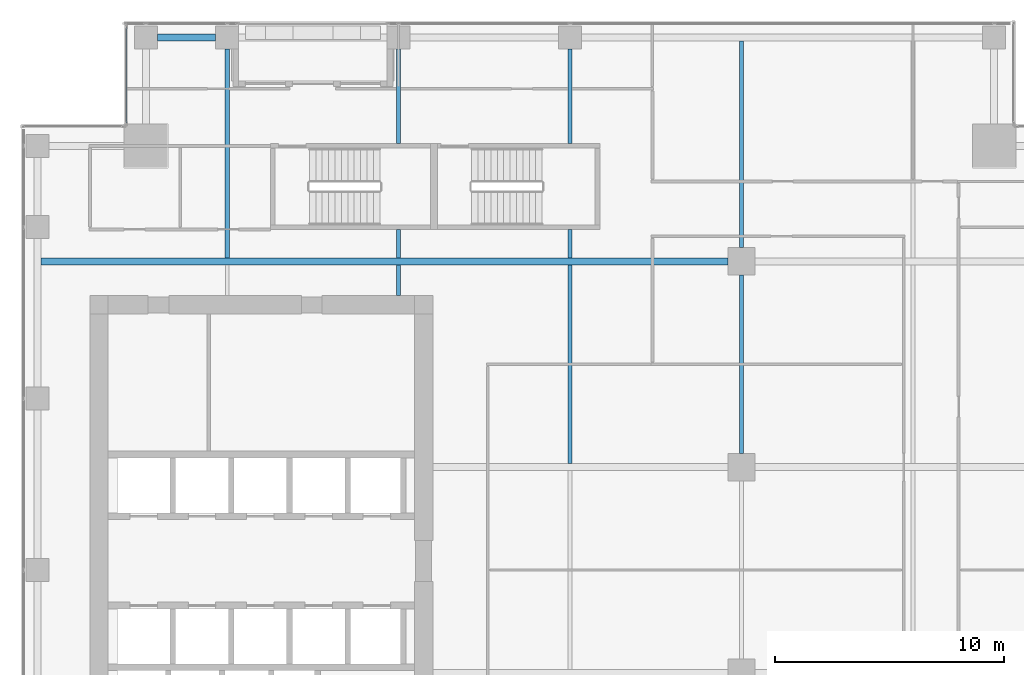
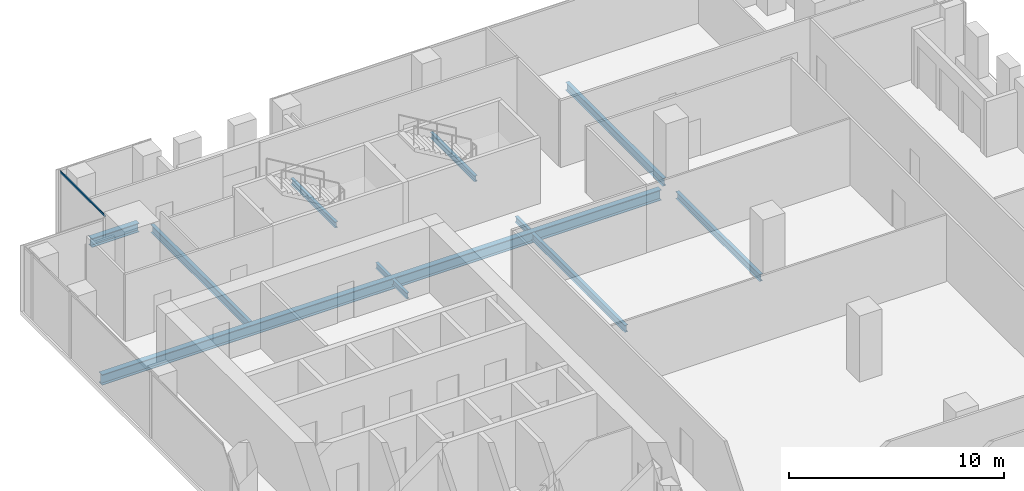
# One storey, part 18 of 38: 11 beams, 1 member, 1 element without a shape of its own.
"""IFC4 building model written with IfcOpenShell, lengths in metres."""

from ifc_helpers import new_model, si_unit, direction, frame, origin, origin_2d, place, context, subcontext, project, spatial, hollow_rectangle, i_section, extrude, source, transform, mapped, material, material_profile, profile_set, type_object, element, aggregate, save


model = new_model("IFC4")

# Units and contexts
model_context = context("Model", 3, precision=1e-05, world=origin(), true_north=direction((0.0, 1.0)))
body_context = subcontext(model_context, "Body", "Model", "MODEL_VIEW")
ifc_project = project(units=[si_unit("LENGTHUNIT", "METRE"), si_unit("AREAUNIT", "SQUARE_METRE"), si_unit("VOLUMEUNIT", "CUBIC_METRE"), si_unit("PLANEANGLEUNIT", "RADIAN"), si_unit("MASSUNIT", "GRAM", prefix="KILO")], contexts=[model_context])

# Site, building, storey
site_placement = place(None, origin())
site = spatial("IfcSite", under=ifc_project, at=site_placement, CompositionType="ELEMENT")
building_placement = place(site_placement, origin())
building = spatial("IfcBuilding", under=site, at=building_placement, Name="Khomas Fold Tower", CompositionType="ELEMENT")
storey_placement = place(building_placement, frame((0.0, 0.0, 196.699951171875)))
storey = spatial("IfcBuildingStorey", under=building, at=storey_placement, Name="L43", CompositionType="ELEMENT", Elevation=196.699951171875)

# Beams
ifc_material_1 = material(Name="Steel S355", Category="steel")
ifc_material_profile_1 = material_profile(ifc_material_1, i_section(OverallWidth=0.179931640625, OverallDepth=0.39990234375, WebThickness=0.008544921875, FlangeThickness=0.013427734375, at=origin_2d()), Name="IPE 400")
ifc_profile_set_1 = profile_set([ifc_material_profile_1], Name="Steel S355")
beam_type_1 = type_object("IfcBeamType", Name="IPE 400 beam JB3", PredefinedType="BEAM", material=ifc_profile_set_1)
shared_shape_1 = source(origin(), body_context, "Body", "SweptSolid", [
    extrude(i_section(OverallWidth=0.179931640625, OverallDepth=0.39990234375, WebThickness=0.008544921875, FlangeThickness=0.013427734375, at=origin_2d()), origin(), (0.0, 0.0, 1.0), 8.7001953125),
])
beam_1_placement = place(storey_placement, frame((27.0, 31.64990234375, -0.449951171875), z_axis=(0.0, 1.0, 0.0), x_axis=(-1.0, 0.0, 0.0)))
element("IfcBeam", 1, at=beam_1_placement, inside=storey, type_object=beam_type_1, Name="JB3", PredefinedType="BEAM", context=body_context, shape_type="MappedRepresentation", body=[
    mapped(shared_shape_1, transform((0.0, 0.0, 0.0))),
])
ifc_material_2 = material(Name="Steel S355", Category="steel")
ifc_material_profile_2 = material_profile(ifc_material_2, i_section(OverallWidth=0.159912109375, OverallDepth=0.330078125, WebThickness=0.007568359375, FlangeThickness=0.011474609375, at=origin_2d()), Name="IPE 330")
ifc_profile_set_2 = profile_set([ifc_material_profile_2], Name="Steel S355")
beam_type_2 = type_object("IfcBeamType", Name="IPE 330 beam JB1", PredefinedType="BEAM", material=ifc_profile_set_2)
shared_shape_2 = source(origin(), body_context, "Body", "SweptSolid", [
    extrude(i_section(OverallWidth=0.159912109375, OverallDepth=0.330078125, WebThickness=0.007568359375, FlangeThickness=0.011474609375, at=origin_2d()), origin(), (0.0, 0.0, 1.0), 1.25),
])
for number, where, z_axis, x_axis, name in (
    (2, (19.5, 40.64990234375, -0.4150390625), (0.0, 1.0, 0.0), (-1.0, 0.0, 0.0), "JB1"),
    (3, (27.0, 40.64990234375, -0.4150390625), (0.0, 1.0, 0.0), (-1.0, 0.0, 0.0), "JB1"),
):
    element("IfcBeam", number, at=place(storey_placement, frame(where, z_axis=z_axis, x_axis=x_axis)), inside=storey, type_object=beam_type_2, Name=name, PredefinedType="BEAM", context=body_context, shape_type="MappedRepresentation", body=[
        mapped(shared_shape_2, transform((0.0, 0.0, 0.0))),
    ])
ifc_material_3 = material(Name="Steel S355", Category="steel")
ifc_material_profile_3 = material_profile(ifc_material_3, i_section(OverallWidth=0.300048828125, OverallDepth=0.5, WebThickness=0.014404296875, FlangeThickness=0.028076171875, at=origin_2d()), Name="HE 500 B")
ifc_profile_set_3 = profile_set([ifc_material_profile_3], Name="Steel S355")
beam_type_3 = type_object("IfcBeamType", Name="HE 500 B spandrel SB3", PredefinedType="SPANDREL", material=ifc_profile_set_3)
shared_shape_3 = source(origin(), body_context, "Body", "SweptSolid", [
    extrude(i_section(OverallWidth=0.300048828125, OverallDepth=0.5, WebThickness=0.014404296875, FlangeThickness=0.028076171875, at=origin_2d()), origin(), (0.0, 0.0, 1.0), 2.550048828125),
])
beam_2_placement = place(storey_placement, frame((8.949951171875, 50.300048828125, -0.5), z_axis=(1.0, 0.0, 0.0), x_axis=(0.0, 1.0, 0.0)))
element("IfcBeam", 4, at=beam_2_placement, inside=storey, type_object=beam_type_3, Name="SB3", PredefinedType="SPANDREL", context=body_context, shape_type="MappedRepresentation", body=[
    mapped(shared_shape_3, transform((0.0, 0.0, 0.0))),
])
shared_shape_4 = source(origin(), body_context, "Body", "SweptSolid", [
    extrude(i_section(OverallWidth=0.159912109375, OverallDepth=0.330078125, WebThickness=0.007568359375, FlangeThickness=0.011474609375, at=origin_2d()), origin(), (0.0, 0.0, 1.0), 4.150146484375),
])
for number, where, z_axis, x_axis, name in (
    (5, (19.5, 45.64990234375, -0.4150390625), (0.0, 1.0, 0.0), (-1.0, 0.0, 0.0), "JB1"),
    (6, (27.0, 45.64990234375, -0.4150390625), (0.0, 1.0, 0.0), (-1.0, 0.0, 0.0), "JB1"),
):
    element("IfcBeam", number, at=place(storey_placement, frame(where, z_axis=z_axis, x_axis=x_axis)), inside=storey, type_object=beam_type_2, Name=name, PredefinedType="BEAM", context=body_context, shape_type="MappedRepresentation", body=[
        mapped(shared_shape_4, transform((0.0, 0.0, 0.0))),
    ])
shared_shape_5 = source(origin(), body_context, "Body", "SweptSolid", [
    extrude(i_section(OverallWidth=0.179931640625, OverallDepth=0.39990234375, WebThickness=0.008544921875, FlangeThickness=0.013427734375, at=origin_2d()), origin(), (0.0, 0.0, 1.0), 7.7998046875),
])
beam_3_placement = place(storey_placement, frame((34.5, 32.10009765625, -0.449951171875), z_axis=(0.0, 1.0, 0.0), x_axis=(-1.0, 0.0, 0.0)))
element("IfcBeam", 7, at=beam_3_placement, inside=storey, type_object=beam_type_1, Name="JB3", PredefinedType="BEAM", context=body_context, shape_type="MappedRepresentation", body=[
    mapped(shared_shape_5, transform((0.0, 0.0, 0.0))),
])
ifc_material_4 = material(Name="Steel S355", Category="steel")
ifc_material_profile_4 = material_profile(ifc_material_4, i_section(OverallWidth=0.18994140625, OverallDepth=0.449951171875, WebThickness=0.009521484375, FlangeThickness=0.0146484375, at=origin_2d()), Name="IPE 450")
ifc_profile_set_4 = profile_set([ifc_material_profile_4], Name="Steel S355")
beam_type_4 = type_object("IfcBeamType", Name="IPE 450 beam JB4", PredefinedType="BEAM", material=ifc_profile_set_4)
shared_shape_6 = source(origin(), body_context, "Body", "SweptSolid", [
    extrude(i_section(OverallWidth=0.18994140625, OverallDepth=0.449951171875, WebThickness=0.009521484375, FlangeThickness=0.0146484375, at=origin_2d()), origin(), (0.0, 0.0, 1.0), 9.150146484375),
])
beam_4_placement = place(storey_placement, frame((12.0, 40.64990234375, -0.474853515625), z_axis=(0.0, 1.0, 0.0), x_axis=(-1.0, 0.0, 0.0)))
element("IfcBeam", 8, at=beam_4_placement, inside=storey, type_object=beam_type_4, Name="JB4", PredefinedType="BEAM", context=body_context, shape_type="MappedRepresentation", body=[
    mapped(shared_shape_6, transform((0.0, 0.0, 0.0))),
])
ifc_material_5 = material(Name="Steel S355", Category="steel")
ifc_material_profile_5 = material_profile(ifc_material_5, i_section(OverallWidth=0.300048828125, OverallDepth=0.60009765625, WebThickness=0.015380859375, FlangeThickness=0.030029296875, at=origin_2d()), Name="HE 600 B")
ifc_profile_set_5 = profile_set([ifc_material_profile_5], Name="Steel S355")
beam_type_5 = type_object("IfcBeamType", Name="HE 600 B beam GB5", PredefinedType="BEAM", material=ifc_profile_set_5)
shared_shape_7 = source(origin(), body_context, "Body", "SweptSolid", [
    extrude(i_section(OverallWidth=0.300048828125, OverallDepth=0.60009765625, WebThickness=0.015380859375, FlangeThickness=0.030029296875, at=origin_2d()), origin(), (0.0, 0.0, 1.0), 30.0498046875),
])
beam_5_placement = place(storey_placement, frame((3.85009765625, 40.5, -0.550048828125), z_axis=(1.0, 0.0, 0.0), x_axis=(0.0, 1.0, 0.0)))
element("IfcBeam", 9, at=beam_5_placement, inside=storey, type_object=beam_type_5, Name="GB5", PredefinedType="BEAM", context=body_context, shape_type="MappedRepresentation", body=[
    mapped(shared_shape_7, transform((0.0, 0.0, 0.0))),
])
shared_shape_8 = source(origin(), body_context, "Body", "SweptSolid", [
    extrude(i_section(OverallWidth=0.159912109375, OverallDepth=0.330078125, WebThickness=0.007568359375, FlangeThickness=0.011474609375, at=origin_2d()), origin(), (0.0, 0.0, 1.0), 1.35009765625),
])
beam_6_placement = place(storey_placement, frame((19.5, 39.0, -0.4150390625), z_axis=(0.0, 1.0, 0.0), x_axis=(-1.0, 0.0, 0.0)))
element("IfcBeam", 10, at=beam_6_placement, inside=storey, type_object=beam_type_2, Name="JB1", PredefinedType="BEAM", context=body_context, shape_type="MappedRepresentation", body=[
    mapped(shared_shape_8, transform((0.0, 0.0, 0.0))),
])
shared_shape_9 = source(origin(), body_context, "Body", "SweptSolid", [
    extrude(i_section(OverallWidth=0.18994140625, OverallDepth=0.449951171875, WebThickness=0.009521484375, FlangeThickness=0.0146484375, at=origin_2d()), origin(), (0.0, 0.0, 1.0), 9.0498046875),
])
beam_7_placement = place(storey_placement, frame((34.5, 41.10009765625, -0.474853515625), z_axis=(0.0, 1.0, 0.0), x_axis=(-1.0, 0.0, 0.0)))
element("IfcBeam", 11, at=beam_7_placement, inside=storey, type_object=beam_type_4, Name="JB4", PredefinedType="BEAM", context=body_context, shape_type="MappedRepresentation", body=[
    mapped(shared_shape_9, transform((0.0, 0.0, 0.0))),
])

# Curtain wall, member
ifc_material_6 = material(Name="Aluminium framed double glazing", Category="aluminium")
curtain_wall_type = type_object("IfcCurtainWallType", Name="SK-Unitised clear-glass wall, office floors CW2", PredefinedType="NOTDEFINED", material=ifc_material_6)
curtain_wall_placement = place(storey_placement, origin())
curtain_wall = element("IfcCurtainWall", 12, at=curtain_wall_placement, inside=storey, type_object=curtain_wall_type, Name="CW2 corner return L43 07", PredefinedType="NOTDEFINED")
ifc_material_7 = material(Name="Aluminium", Category="aluminium")
ifc_material_profile_6 = material_profile(ifc_material_7, hollow_rectangle(XDim=0.050048828125, YDim=0.110107421875, WallThickness=0.00390625, at=origin_2d()), Name="SK-Unitised clear-glass wall, office floors transom CW2-T")
ifc_profile_set_6 = profile_set([ifc_material_profile_6], Name="Aluminium")
member_type = type_object("IfcMemberType", Name="SK-Unitised clear-glass wall, office floors transom CW2-T", PredefinedType="USERDEFINED", material=ifc_profile_set_6)
shared_shape_10 = source(origin(), body_context, "Body", "SweptSolid", [
    extrude(hollow_rectangle(XDim=0.050048828125, YDim=0.110107421875, WallThickness=0.00390625, at=origin_2d()), origin(), (0.0, 0.0, 1.0), 4.179931640625),
])
member_placement = place(storey_placement, frame((7.60009765625, 50.739990234375, 3.695068359375), z_axis=(0.0, -1.0, 0.0), x_axis=(1.0, 0.0, 0.0)))
member = element("IfcMember", 13, at=member_placement, type_object=member_type, Name="CW2 transom 1", ObjectType="TRANSOM", PredefinedType="USERDEFINED", context=body_context, shape_type="MappedRepresentation", body=[
    mapped(shared_shape_10, transform((0.0, 0.0, 0.0))),
])
aggregate(curtain_wall, [member])

save(model, "model.ifc")
